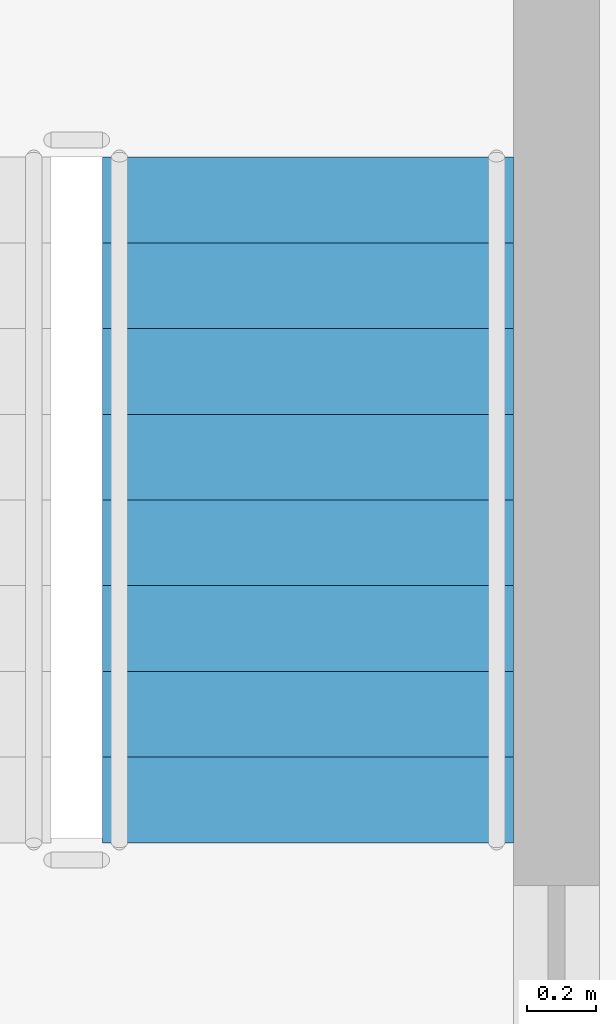
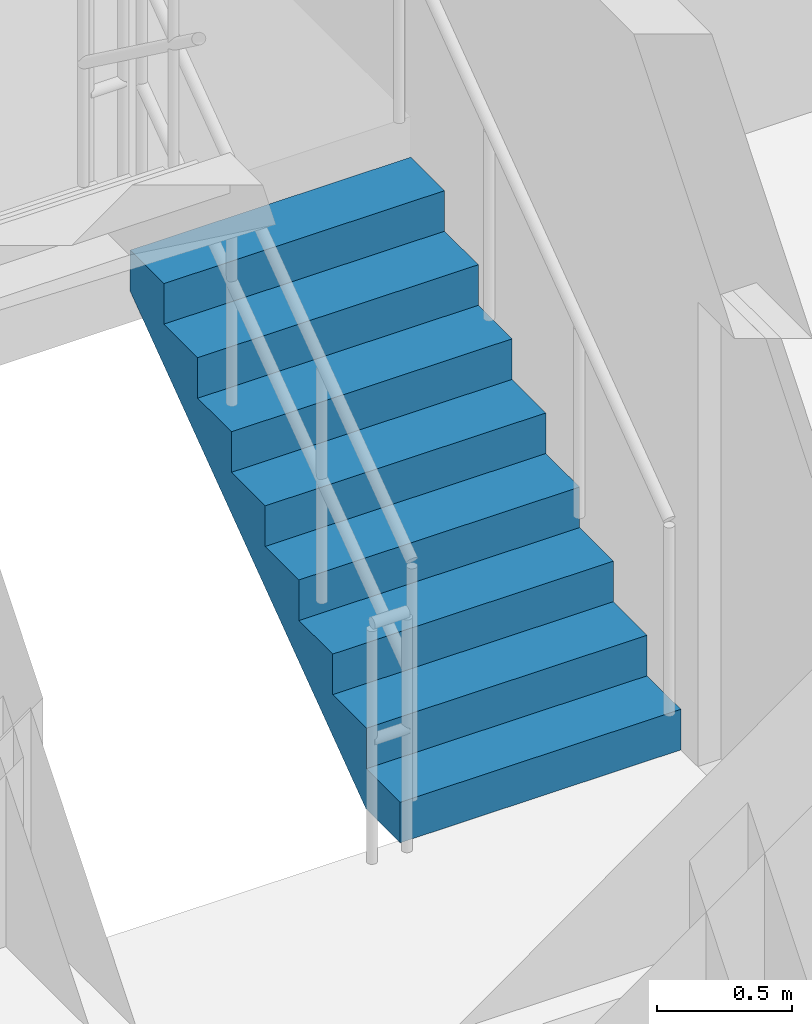
# One storey, part 10 of 16: 1 stair flight, 1 element without a shape of its own.
"""IFC4 building model written with IfcOpenShell, lengths in metres."""

from ifc_helpers import new_model, si_unit, direction, frame, origin, place, context, subcontext, project, spatial, polyline, outline, extrude, material, type_object, element, aggregate, save


model = new_model("IFC4")

# Units and contexts
model_context = context("Model", 3, precision=1e-05, world=origin(), true_north=direction((0.0, 1.0)))
body_context = subcontext(model_context, "Body", "Model", "MODEL_VIEW")
ifc_project = project(units=[si_unit("LENGTHUNIT", "METRE"), si_unit("AREAUNIT", "SQUARE_METRE"), si_unit("VOLUMEUNIT", "CUBIC_METRE"), si_unit("PLANEANGLEUNIT", "RADIAN"), si_unit("MASSUNIT", "GRAM", prefix="KILO")], contexts=[model_context])

# Site, building, storey
site_placement = place(None, origin())
site = spatial("IfcSite", under=ifc_project, at=site_placement, CompositionType="ELEMENT")
building_placement = place(site_placement, origin())
building = spatial("IfcBuilding", under=site, at=building_placement, Name="Nakaniwa Court", CompositionType="ELEMENT")
storey_placement = place(building_placement, frame((0.0, 0.0, 193.199951171875)))
storey = spatial("IfcBuildingStorey", under=building, at=storey_placement, Name="L50", CompositionType="ELEMENT", Elevation=193.199951171875)

# Stair, stair flight
ifc_material = material(Name="Concrete C80/100", Category="concrete")
stair_type = type_object("IfcStairType", Name="Dog leg stair 1200 wide 18 risers", PredefinedType="HALF_TURN_STAIR", material=ifc_material)
stair_placement = place(storey_placement, origin())
stair = element("IfcStair", 1, at=stair_placement, inside=storey, type_object=stair_type, Name="L50 Stair ST2", PredefinedType="HALF_TURN_STAIR")
stair_flight_type = type_object("IfcStairFlightType", Name="Stair flight 1200 wide 9 risers", PredefinedType="STRAIGHT", material=ifc_material)
stair_flight_placement = place(storey_placement, frame((82.675048828125, 98.175048828125, 0.0), z_axis=(0.0, 0.0, 1.0), x_axis=(0.0, 1.0, 0.0)))
stair_flight = element("IfcStairFlight", 2, at=stair_flight_placement, type_object=stair_flight_type, Name="ST2 flight 1", NumberOfRisers=9, NumberOfTreads=8, PredefinedType="STRAIGHT", RiserHeight=0.183333333, TreadLength=0.25, context=body_context, shape_type="SweptSolid", body=[
    extrude(outline(polyline([(0.0, 0.0), (0.0, 0.026123046875), (0.0, 0.052490234375), (0.0, 0.07861328125), (0.0, 0.104736328125), (0.0, 0.130859375), (0.0, 0.1572265625), (0.0, 0.183349609375), (0.25, 0.183349609375), (0.25, 0.36669921875), (0.5, 0.36669921875), (0.5, 0.550048828125), (0.75, 0.550048828125), (0.75, 0.7333984375), (1.0, 0.7333984375), (1.0, 0.916748046875), (1.25, 0.916748046875), (1.25, 1.10009765625), (1.5, 1.10009765625), (1.5, 1.283447265625), (1.75, 1.283447265625), (1.75, 1.466552734375), (2.0, 1.466552734375), (2.0, 1.64990234375), (2.0, 1.59716796875), (2.0, 1.54443359375), (2.0, 1.49169921875), (2.0, 1.43896484375), (2.0, 1.38623046875), (2.0, 1.33349609375), (2.0, 1.28076171875), (0.25341796875, 0.0), (0.0, 0.0)])), frame((0.0, 0.60009765625, 0.0), z_axis=(0.0, -1.0, 0.0), x_axis=(1.0, 0.0, 0.0)), (0.0, 0.0, 1.0), 1.199951171875),
])
aggregate(stair, [stair_flight])

save(model, "model.ifc")
